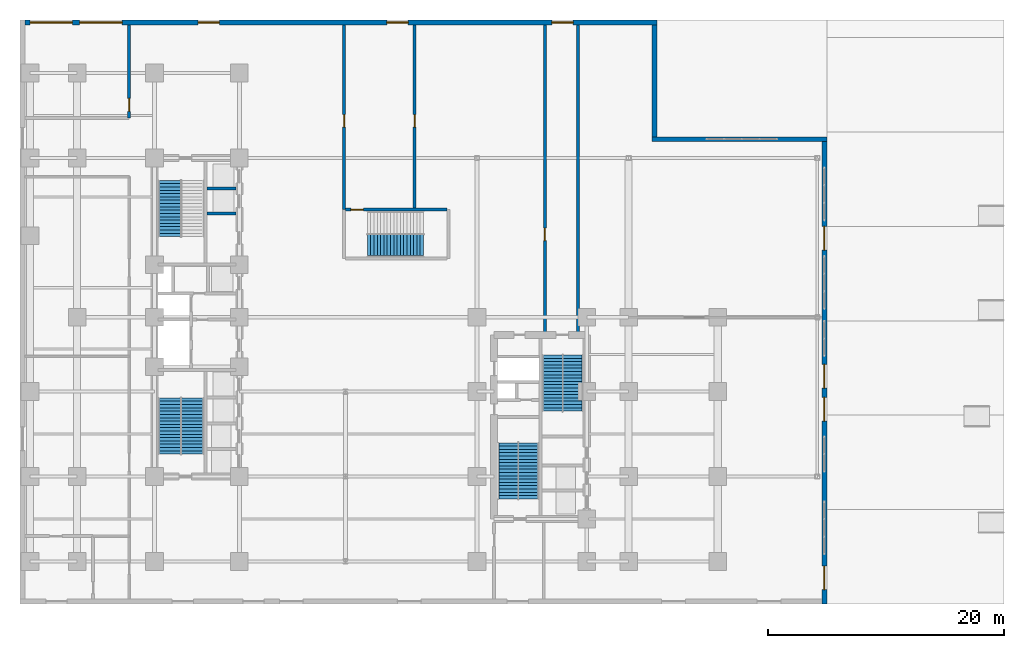
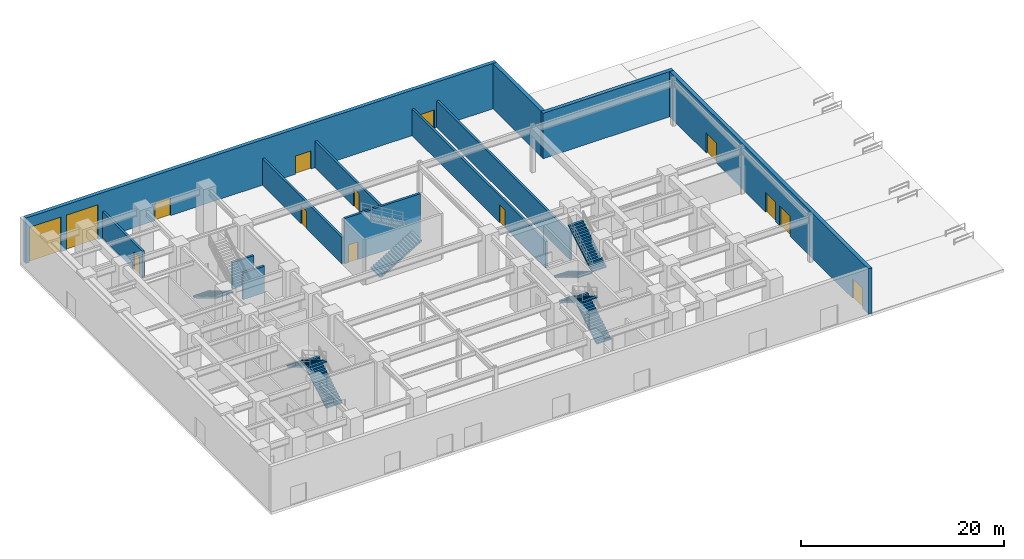
# One storey, part 12 of 18: 14 doors, 12 walls, 8 stair flights, 14 openings, 5 elements without a shape of their own.
"""IFC4 building model written with IfcOpenShell, lengths in metres."""

import ifcopenshell
import ifcopenshell.guid

model = None  # the IFC model being written
_history = None  # IfcOwnerHistory: only IFC2X3 demands one
_inside = {}  # id of a spatial element -> (the spatial element, [elements in it])
_under = {}  # id of a project, library or spatial element -> (it, [spatial elements below it])
_declared = {}  # id of a project -> (the project, [libraries it declares])
_typed = {}  # id of a type object -> (the type object, [elements of that type])
_made_of = {}  # id of a material, layer set ... -> (it, [elements and type objects made of it])


def new_model(schema):
    """Start an empty IFC model of exactly this schema.

    Asked for "IFC4X3", IfcOpenShell would pick the latest addendum, in which some entities
    have other attributes; the version numbers below select the first issue.
    IFC2X3 requires an IfcOwnerHistory on every rooted entity: one is made here for all.
    """
    global model, _history
    if schema == "IFC4X3":
        model = ifcopenshell.file(schema_version=(4, 3, 0, 0))
    else:
        model = ifcopenshell.file(schema=schema)
    _inside.clear()
    _under.clear()
    _declared.clear()
    _typed.clear()
    _made_of.clear()
    _history = None
    if model.schema == "IFC2X3":
        org = make("IfcOrganization", Name="unknown")
        user = make(
            "IfcPersonAndOrganization",
            ThePerson=make("IfcPerson", FamilyName="unknown"),
            TheOrganization=org,
        )
        app = make(
            "IfcApplication",
            ApplicationDeveloper=org,
            Version="unknown",
            ApplicationFullName="unknown",
            ApplicationIdentifier="unknown",
        )
        _history = make(
            "IfcOwnerHistory",
            OwningUser=user,
            OwningApplication=app,
            ChangeAction="ADDED",
            CreationDate=0,
        )
    return model


def make(cls, **values):
    """One entity of the class cls with the attributes given. An attribute that is None is left unset."""
    return model.create_entity(
        cls, **{name: value for name, value in values.items() if value is not None}
    )


def entity(cls, *values):
    """Any entity or typed value of the class cls, its attributes in the order of the schema. None: left unset."""
    e = model.create_entity(cls)
    for i, value in enumerate(values):
        if value is not None:
            e[i] = value
    return e


def rooted(cls, **values):
    """An entity with a GlobalId (a new one), such as an element, a storey or a relation."""
    return make(cls, GlobalId=ifcopenshell.guid.new(), OwnerHistory=_history, **values)


def si_unit(unit_type, name, prefix=None):
    """IfcSIUnit, for example si_unit("LENGTHUNIT", "METRE", prefix="MILLI")."""
    return make("IfcSIUnit", UnitType=unit_type, Prefix=prefix, Name=name)


def converted_unit(unit_type, name, factor, base, dimensions=None, offset=None):
    """IfcConversionBasedUnit, such as the inch: factor (a typed value) times the base unit."""
    return make(
        "IfcConversionBasedUnit"
        if offset is None
        else "IfcConversionBasedUnitWithOffset",
        ConversionOffset=offset,
        Dimensions=None
        if dimensions is None
        else entity("IfcDimensionalExponents", *dimensions),
        UnitType=unit_type,
        Name=name,
        ConversionFactor=make(
            "IfcMeasureWithUnit", ValueComponent=factor, UnitComponent=base
        ),
    )


def assignment(units):
    """IfcUnitAssignment: the units of a project."""
    return None if units is None else make("IfcUnitAssignment", Units=units)


def point(xyz):
    """IfcCartesianPoint."""
    return None if xyz is None else make("IfcCartesianPoint", Coordinates=xyz)


def direction(xyz):
    """IfcDirection."""
    return None if xyz is None else make("IfcDirection", DirectionRatios=xyz)


def frame(location, z_axis=None, x_axis=None):
    """IfcAxis2Placement3D, a coordinate frame: its origin and axes. An axis left out is left unset."""
    return make(
        "IfcAxis2Placement3D",
        Location=point(location),
        Axis=direction(z_axis),
        RefDirection=direction(x_axis),
    )


def frame_2d(location, x_axis=None):
    """IfcAxis2Placement2D, a coordinate frame in the plane: its origin and x axis."""
    return make(
        "IfcAxis2Placement2D", Location=point(location), RefDirection=direction(x_axis)
    )


def origin_with_axes():
    """The frame at (0, 0, 0) with the z axis (0, 0, 1) and the x axis (1, 0, 0) written out."""
    return frame((0.0, 0.0, 0.0), z_axis=(0.0, 0.0, 1.0), x_axis=(1.0, 0.0, 0.0))


def origin_2d_with_axis():
    """The frame at (0, 0) in the plane with the x axis (1, 0) written out."""
    return frame_2d((0.0, 0.0), x_axis=(1.0, 0.0))


def place(relative_to, where):
    """IfcLocalPlacement: puts the frame where relative to a parent placement (None: the world)."""
    return make(
        "IfcLocalPlacement", PlacementRelTo=relative_to, RelativePlacement=where
    )


def context(
    kind, dimensions, precision=None, world=None, true_north=None, identifier=None
):
    """IfcGeometricRepresentationContext, for example the 3D "Model" context."""
    return make(
        "IfcGeometricRepresentationContext",
        ContextIdentifier=identifier,
        ContextType=kind,
        CoordinateSpaceDimension=dimensions,
        Precision=precision,
        WorldCoordinateSystem=world,
        TrueNorth=true_north,
    )


def subcontext(parent, identifier, kind, view, scale=None):
    """IfcGeometricRepresentationSubContext, for example "Body" below "Model"."""
    return make(
        "IfcGeometricRepresentationSubContext",
        ContextIdentifier=identifier,
        ContextType=kind,
        ParentContext=parent,
        TargetScale=scale,
        TargetView=view,
    )


def project(units=None, contexts=None):
    """IfcProject with its units and contexts."""
    return rooted(
        "IfcProject",
        Name="project",
        RepresentationContexts=contexts,
        UnitsInContext=assignment(units),
    )


def spatial(cls, under=None, at=None, **own):
    """A site, building, storey or space (cls), placed at a placement, below another one or the project."""
    s = rooted(cls, ObjectPlacement=at, **own)
    if under is not None:
        _under.setdefault(under.id(), (under, []))[1].append(s)
    return s


def polyline(points):
    """IfcPolyline through the points."""
    return make("IfcPolyline", Points=[point(p) for p in points])


def profile(cls, at=None, kind="AREA", **sizes):
    """A parametric profile (cls). Its sizes go by their IFC names, for example OverallWidth=200.0."""
    return make(cls, ProfileType=kind, Position=at, **sizes)


def rectangle(**sizes):
    """IfcRectangleProfileDef."""
    return profile("IfcRectangleProfileDef", **sizes)


def outline(outer, holes=None, kind="AREA"):
    """IfcArbitraryClosedProfileDef: a profile drawn as a closed curve; with holes, ...WithVoids."""
    if holes is None:
        return make("IfcArbitraryClosedProfileDef", ProfileType=kind, OuterCurve=outer)
    return make(
        "IfcArbitraryProfileDefWithVoids",
        ProfileType=kind,
        OuterCurve=outer,
        InnerCurves=holes,
    )


def extrude(swept, where, along, depth):
    """IfcExtrudedAreaSolid: the profile swept, set in the frame where, extruded along a direction by depth."""
    return make(
        "IfcExtrudedAreaSolid",
        SweptArea=swept,
        Position=where,
        ExtrudedDirection=direction(along),
        Depth=depth,
    )


def shape(context_of_items, identifier, shape_type, items):
    """IfcShapeRepresentation: the items that make up one representation, for example the "Body"."""
    return make(
        "IfcShapeRepresentation",
        ContextOfItems=context_of_items,
        RepresentationIdentifier=identifier,
        RepresentationType=shape_type,
        Items=items,
    )


def material(Name=None, Category=None):
    """IfcMaterial."""
    return make("IfcMaterial", Name=Name, Category=Category)


def layer(
    of_material, thickness, ventilated=None, Name=None, Category=None, Priority=None
):
    """IfcMaterialLayer: one layer of a wall or slab, of a material (None: an air gap)."""
    return make(
        "IfcMaterialLayer",
        Material=of_material,
        LayerThickness=thickness,
        IsVentilated=ventilated,
        Name=Name,
        Category=Category,
        Priority=Priority,
    )


def layer_set(layers, Name=None):
    """IfcMaterialLayerSet."""
    return make("IfcMaterialLayerSet", MaterialLayers=layers, LayerSetName=Name)


def made_of(thing, what):
    """Note that an element or type object is made of a material, layer set ...; save() writes the relation."""
    if what is not None:
        _made_of.setdefault(what.id(), (what, []))[1].append(thing)
    return thing


def type_object(cls, material=None, **own):
    """A type object (cls), such as IfcWallType, which elements share."""
    return made_of(rooted(cls, **own), material)


def element(
    cls,
    number,
    at=None,
    inside=None,
    cuts=None,
    type_object=None,
    material=None,
    context=None,
    identifier="Body",
    shape_type=None,
    held_by="IfcProductDefinitionShape",
    body=None,
    shapes=None,
    **own,
):
    """One element of the class cls, such as IfcWall. Its Tag is "e" and its number.

    at: its placement. inside: the storey or other place that contains it. cuts: it is an
    opening in that element (IfcRelVoidsElement). A single representation is given by context,
    identifier, shape_type and body (its items); several are given by shapes. held_by: the class
    of the entity that holds the representations. save() writes the other relations.
    """
    e = rooted(cls, Tag="e%d" % number, ObjectPlacement=at, **own)
    if body is not None:
        shapes = [shape(context, identifier, shape_type, body)]
    if shapes is not None:
        e.Representation = make(held_by, Representations=shapes)
    if inside is not None:
        _inside.setdefault(inside.id(), (inside, []))[1].append(e)
    if cuts is not None:
        rooted(
            "IfcRelVoidsElement", RelatingBuildingElement=cuts, RelatedOpeningElement=e
        )
    if type_object is not None:
        _typed.setdefault(type_object.id(), (type_object, []))[1].append(e)
    return made_of(e, material)


def fill(opening, filler):
    """IfcRelFillsElement: the door or window that sits in an opening."""
    return rooted(
        "IfcRelFillsElement",
        RelatingOpeningElement=opening,
        RelatedBuildingElement=filler,
    )


def aggregate(whole, parts):
    """IfcRelAggregates: a whole, such as a stair, and the parts it consists of."""
    return rooted("IfcRelAggregates", RelatingObject=whole, RelatedObjects=parts)


def save(model, path):
    """Write the relations noted so far, then the file.

    IfcRelAggregates (storeys below a building ...), IfcRelContainedInSpatialStructure (elements
    in a storey), IfcRelDefinesByType, IfcRelAssociatesMaterial and IfcRelDeclares: one each for
    every whole, place, type object, material and project.
    """
    for whole, parts in _under.values():
        aggregate(whole, parts)
    for where, things in _inside.values():
        rooted(
            "IfcRelContainedInSpatialStructure",
            RelatedElements=things,
            RelatingStructure=where,
        )
    for kind, things in _typed.values():
        rooted("IfcRelDefinesByType", RelatedObjects=things, RelatingType=kind)
    for what, things in _made_of.values():
        rooted("IfcRelAssociatesMaterial", RelatedObjects=things, RelatingMaterial=what)
    for by, libraries in _declared.values():
        rooted("IfcRelDeclares", RelatingContext=by, RelatedDefinitions=libraries)
    model.write(path)


model = new_model("IFC4")

# Units and contexts
model_context = context("Model", 3, precision=1e-05, world=origin_with_axes(), true_north=direction((0.0, 1.0)))
body_context = subcontext(model_context, "Body", "Model", "MODEL_VIEW")
ifc_project = project(units=[si_unit("LENGTHUNIT", "METRE"), si_unit("AREAUNIT", "SQUARE_METRE"), si_unit("VOLUMEUNIT", "CUBIC_METRE"), converted_unit("PLANEANGLEUNIT", "DEGREE", entity("IfcPlaneAngleMeasure", 0.017453292519943295), si_unit("PLANEANGLEUNIT", "RADIAN"), dimensions=[0, 0, 0, 0, 0, 0, 0]), si_unit("MASSUNIT", "GRAM", prefix="KILO"), si_unit("THERMODYNAMICTEMPERATUREUNIT", "KELVIN")], contexts=[model_context])

# Site, building, storey
site_placement = place(None, origin_with_axes())
site = spatial("IfcSite", under=ifc_project, at=site_placement, CompositionType="ELEMENT")
building_placement = place(site_placement, origin_with_axes())
building = spatial("IfcBuilding", under=site, at=building_placement, Name="Varnlund Millrace Tower", CompositionType="ELEMENT")
storey_placement = place(building_placement, origin_with_axes())
storey = spatial("IfcBuildingStorey", under=building, at=storey_placement, Name="L00", CompositionType="ELEMENT", Elevation=0.0)

# Wall, openings, doors
ifc_material_1 = material(Name="Precast concrete C50/60", Category="concrete")
ifc_layer_1 = layer(ifc_material_1, 0.42, Name="Precast concrete C50/60")
ifc_layer_set_1 = layer_set([ifc_layer_1], Name="Precast concrete C50/60")
wall_type_1 = type_object("IfcWallType", Name="Type-ExtWall-Precast-Pier-420", PredefinedType="SOLIDWALL", material=ifc_layer_set_1)
wall_1_placement = place(storey_placement, frame((0.42, 49.29, 0.0), z_axis=(0.0, 0.0, 1.0), x_axis=(1.0, 0.0, 0.0)))
wall_1 = element("IfcWall", 1, at=wall_1_placement, inside=storey, type_object=wall_type_1, Name="Type-ExtWall-Precast-Pier-420", PredefinedType="SOLIDWALL", context=body_context, shape_type="SweptSolid", body=[
    extrude(outline(polyline([(0.0, -0.21), (53.58, -0.21), (53.58, 0.21), (0.0, 0.21), (0.0, -0.21)])), origin_with_axes(), (0.0, 0.0, 1.0), 5.46),
])
opening_1_placement = place(wall_1_placement, frame((15.58, 0.0, 0.0), z_axis=(0.0, 0.0, 1.0), x_axis=(1.0, 0.0, 0.0)))
opening_1 = element("IfcOpeningElement", 2, at=opening_1_placement, cuts=wall_1, Name="Opening L00:DR-EXT-N1", PredefinedType="OPENING", context=body_context, shape_type="SweptSolid", body=[
    extrude(rectangle(XDim=1.8, YDim=0.44, at=origin_2d_with_axis()), origin_with_axes(), (0.0, 0.0, 1.0), 2.2),
])
opening_2_placement = place(wall_1_placement, frame((31.58, 0.0, 0.0), z_axis=(0.0, 0.0, 1.0), x_axis=(1.0, 0.0, 0.0)))
opening_2 = element("IfcOpeningElement", 3, at=opening_2_placement, cuts=wall_1, Name="Opening L00:DR-EXT-N2", PredefinedType="OPENING", context=body_context, shape_type="SweptSolid", body=[
    extrude(rectangle(XDim=1.8, YDim=0.44, at=origin_2d_with_axis()), origin_with_axes(), (0.0, 0.0, 1.0), 2.2),
])
opening_3_placement = place(wall_1_placement, frame((45.58, 0.0, 0.0), z_axis=(0.0, 0.0, 1.0), x_axis=(1.0, 0.0, 0.0)))
opening_3 = element("IfcOpeningElement", 4, at=opening_3_placement, cuts=wall_1, Name="Opening L00:DR-EXT-N3", PredefinedType="OPENING", context=body_context, shape_type="SweptSolid", body=[
    extrude(rectangle(XDim=1.8, YDim=0.44, at=origin_2d_with_axis()), origin_with_axes(), (0.0, 0.0, 1.0), 2.2),
])
opening_4_placement = place(wall_1_placement, frame((2.23, 0.0, 0.0), z_axis=(0.0, 0.0, 1.0), x_axis=(1.0, 0.0, 0.0)))
opening_4 = element("IfcOpeningElement", 5, at=opening_4_placement, cuts=wall_1, Name="Opening L00:SH-LOAD-01", PredefinedType="OPENING", context=body_context, shape_type="SweptSolid", body=[
    extrude(rectangle(XDim=3.6, YDim=0.44, at=origin_2d_with_axis()), origin_with_axes(), (0.0, 0.0, 1.0), 4.2),
])
opening_5_placement = place(wall_1_placement, frame((6.43, 0.0, 0.0), z_axis=(0.0, 0.0, 1.0), x_axis=(1.0, 0.0, 0.0)))
opening_5 = element("IfcOpeningElement", 6, at=opening_5_placement, cuts=wall_1, Name="Opening L00:SH-LOAD-02", PredefinedType="OPENING", context=body_context, shape_type="SweptSolid", body=[
    extrude(rectangle(XDim=3.6, YDim=0.44, at=origin_2d_with_axis()), origin_with_axes(), (0.0, 0.0, 1.0), 4.2),
])
ifc_material_2 = material(Name="Thermally broken architectural bronze and insulated glass door", Category="glass")
door_type_1 = type_object("IfcDoorType", Name="Type-ExtDoor-ExitPair-1800X2200", OperationType="NOTDEFINED", PredefinedType="DOOR", material=ifc_material_2)
door_1_placement = place(wall_1_placement, frame((15.58, 0.0, 0.0), z_axis=(0.0, 0.0, 1.0), x_axis=(1.0, 0.0, 0.0)))
door_1 = element("IfcDoor", 7, at=door_1_placement, inside=storey, type_object=door_type_1, Name="Type-ExtDoor-ExitPair-1800X2200", OperationType="DOUBLE_DOOR_SINGLE_SWING", OverallHeight=2.2, OverallWidth=1.8, PredefinedType="DOOR", context=body_context, shape_type="SweptSolid", body=[
    extrude(rectangle(XDim=1.8, YDim=0.09, at=origin_2d_with_axis()), origin_with_axes(), (0.0, 0.0, 1.0), 2.2),
])
fill(opening_1, door_1)
door_2_placement = place(wall_1_placement, frame((31.58, 0.0, 0.0), z_axis=(0.0, 0.0, 1.0), x_axis=(1.0, 0.0, 0.0)))
door_2 = element("IfcDoor", 8, at=door_2_placement, inside=storey, type_object=door_type_1, Name="Type-ExtDoor-ExitPair-1800X2200", OperationType="DOUBLE_DOOR_SINGLE_SWING", OverallHeight=2.2, OverallWidth=1.8, PredefinedType="DOOR", context=body_context, shape_type="SweptSolid", body=[
    extrude(rectangle(XDim=1.8, YDim=0.09, at=origin_2d_with_axis()), origin_with_axes(), (0.0, 0.0, 1.0), 2.2),
])
fill(opening_2, door_2)
door_3_placement = place(wall_1_placement, frame((45.58, 0.0, 0.0), z_axis=(0.0, 0.0, 1.0), x_axis=(1.0, 0.0, 0.0)))
door_3 = element("IfcDoor", 9, at=door_3_placement, inside=storey, type_object=door_type_1, Name="Type-ExtDoor-ExitPair-1800X2200", OperationType="DOUBLE_DOOR_SINGLE_SWING", OverallHeight=2.2, OverallWidth=1.8, PredefinedType="DOOR", context=body_context, shape_type="SweptSolid", body=[
    extrude(rectangle(XDim=1.8, YDim=0.09, at=origin_2d_with_axis()), origin_with_axes(), (0.0, 0.0, 1.0), 2.2),
])
fill(opening_3, door_3)
door_type_2 = type_object("IfcDoorType", Name="Type-ExtDoor-LoadingShutter-3600X4200", OperationType="NOTDEFINED", PredefinedType="DOOR", material=ifc_material_2)
door_4_placement = place(wall_1_placement, frame((2.23, 0.0, 0.0), z_axis=(0.0, 0.0, 1.0), x_axis=(1.0, 0.0, 0.0)))
door_4 = element("IfcDoor", 10, at=door_4_placement, inside=storey, type_object=door_type_2, Name="Type-ExtDoor-LoadingShutter-3600X4200", OperationType="ROLLINGUP", OverallHeight=4.2, OverallWidth=3.6, PredefinedType="DOOR", context=body_context, shape_type="SweptSolid", body=[
    extrude(rectangle(XDim=3.6, YDim=0.09, at=origin_2d_with_axis()), origin_with_axes(), (0.0, 0.0, 1.0), 4.2),
])
fill(opening_4, door_4)
door_5_placement = place(wall_1_placement, frame((6.43, 0.0, 0.0), z_axis=(0.0, 0.0, 1.0), x_axis=(1.0, 0.0, 0.0)))
door_5 = element("IfcDoor", 11, at=door_5_placement, inside=storey, type_object=door_type_2, Name="Type-ExtDoor-LoadingShutter-3600X4200", OperationType="ROLLINGUP", OverallHeight=4.2, OverallWidth=3.6, PredefinedType="DOOR", context=body_context, shape_type="SweptSolid", body=[
    extrude(rectangle(XDim=3.6, YDim=0.09, at=origin_2d_with_axis()), origin_with_axes(), (0.0, 0.0, 1.0), 4.2),
])
fill(opening_5, door_5)

# Walls
wall_2_placement = place(storey_placement, frame((53.79, 49.08, 0.0), z_axis=(0.0, 0.0, 1.0), x_axis=(0.0, -1.0, 0.0)))
element("IfcWall", 12, at=wall_2_placement, inside=storey, type_object=wall_type_1, Name="Type-ExtWall-Precast-Pier-420", PredefinedType="SOLIDWALL", context=body_context, shape_type="SweptSolid", body=[
    extrude(outline(polyline([(0.0, -0.21), (9.48, -0.21), (9.48, 0.21), (0.0, 0.21), (0.0, -0.21)])), origin_with_axes(), (0.0, 0.0, 1.0), 5.46),
])
wall_3_placement = place(storey_placement, frame((53.58, 39.39, 0.0), z_axis=(0.0, 0.0, 1.0), x_axis=(1.0, 0.0, 0.0)))
element("IfcWall", 13, at=wall_3_placement, inside=storey, type_object=wall_type_1, Name="Type-ExtWall-Precast-Pier-420", PredefinedType="SOLIDWALL", context=body_context, shape_type="SweptSolid", body=[
    extrude(outline(polyline([(0.0, -0.21), (14.82, -0.21), (14.82, 0.21), (0.0, 0.21), (0.0, -0.21)])), origin_with_axes(), (0.0, 0.0, 1.0), 5.46),
])

# Wall, openings, doors
wall_4_placement = place(storey_placement, frame((68.19, 39.18, 0.0), z_axis=(0.0, 0.0, 1.0), x_axis=(0.0, -1.0, 0.0)))
wall_4 = element("IfcWall", 14, at=wall_4_placement, inside=storey, type_object=wall_type_1, Name="Type-ExtWall-Precast-Pier-420", PredefinedType="SOLIDWALL", context=body_context, shape_type="SweptSolid", body=[
    extrude(outline(polyline([(0.0, -0.21), (39.18, -0.21), (39.18, 0.21), (0.0, 0.21), (0.0, -0.21)])), origin_with_axes(), (0.0, 0.0, 1.0), 5.46),
])
opening_6_placement = place(wall_4_placement, frame((36.98, 0.0, 0.0), z_axis=(0.0, 0.0, 1.0), x_axis=(1.0, 0.0, 0.0)))
opening_6 = element("IfcOpeningElement", 15, at=opening_6_placement, cuts=wall_4, Name="Opening L00:DR-RIV-1", PredefinedType="OPENING", context=body_context, shape_type="SweptSolid", body=[
    extrude(rectangle(XDim=2.0, YDim=0.44, at=origin_2d_with_axis()), origin_with_axes(), (0.0, 0.0, 1.0), 2.4),
])
opening_7_placement = place(wall_4_placement, frame((22.68, 0.0, 0.0), z_axis=(0.0, 0.0, 1.0), x_axis=(1.0, 0.0, 0.0)))
opening_7 = element("IfcOpeningElement", 16, at=opening_7_placement, cuts=wall_4, Name="Opening L00:DR-RIV-2", PredefinedType="OPENING", context=body_context, shape_type="SweptSolid", body=[
    extrude(rectangle(XDim=2.0, YDim=0.44, at=origin_2d_with_axis()), origin_with_axes(), (0.0, 0.0, 1.0), 2.4),
])
opening_8_placement = place(wall_4_placement, frame((19.88, 0.0, 0.0), z_axis=(0.0, 0.0, 1.0), x_axis=(1.0, 0.0, 0.0)))
opening_8 = element("IfcOpeningElement", 17, at=opening_8_placement, cuts=wall_4, Name="Opening L00:DR-RIV-3", PredefinedType="OPENING", context=body_context, shape_type="SweptSolid", body=[
    extrude(rectangle(XDim=2.0, YDim=0.44, at=origin_2d_with_axis()), origin_with_axes(), (0.0, 0.0, 1.0), 2.4),
])
opening_9_placement = place(wall_4_placement, frame((8.18, 0.0, 0.0), z_axis=(0.0, 0.0, 1.0), x_axis=(1.0, 0.0, 0.0)))
opening_9 = element("IfcOpeningElement", 18, at=opening_9_placement, cuts=wall_4, Name="Opening L00:DR-RIV-4", PredefinedType="OPENING", context=body_context, shape_type="SweptSolid", body=[
    extrude(rectangle(XDim=2.0, YDim=0.44, at=origin_2d_with_axis()), origin_with_axes(), (0.0, 0.0, 1.0), 2.4),
])
door_type_3 = type_object("IfcDoorType", Name="Type-ExtDoor-Concourse-2000X2400", OperationType="NOTDEFINED", PredefinedType="DOOR", material=ifc_material_2)
door_6_placement = place(wall_4_placement, frame((36.98, 0.0, 0.0), z_axis=(0.0, 0.0, 1.0), x_axis=(1.0, 0.0, 0.0)))
door_6 = element("IfcDoor", 19, at=door_6_placement, inside=storey, type_object=door_type_3, Name="Type-ExtDoor-Concourse-2000X2400", OperationType="DOUBLE_DOOR_SINGLE_SWING", OverallHeight=2.4, OverallWidth=2.0, PredefinedType="DOOR", context=body_context, shape_type="SweptSolid", body=[
    extrude(rectangle(XDim=2.0, YDim=0.09, at=origin_2d_with_axis()), origin_with_axes(), (0.0, 0.0, 1.0), 2.4),
])
fill(opening_6, door_6)
door_7_placement = place(wall_4_placement, frame((22.68, 0.0, 0.0), z_axis=(0.0, 0.0, 1.0), x_axis=(1.0, 0.0, 0.0)))
door_7 = element("IfcDoor", 20, at=door_7_placement, inside=storey, type_object=door_type_3, Name="Type-ExtDoor-Concourse-2000X2400", OperationType="DOUBLE_DOOR_SINGLE_SWING", OverallHeight=2.4, OverallWidth=2.0, PredefinedType="DOOR", context=body_context, shape_type="SweptSolid", body=[
    extrude(rectangle(XDim=2.0, YDim=0.09, at=origin_2d_with_axis()), origin_with_axes(), (0.0, 0.0, 1.0), 2.4),
])
fill(opening_7, door_7)
door_8_placement = place(wall_4_placement, frame((19.88, 0.0, 0.0), z_axis=(0.0, 0.0, 1.0), x_axis=(1.0, 0.0, 0.0)))
door_8 = element("IfcDoor", 21, at=door_8_placement, inside=storey, type_object=door_type_3, Name="Type-ExtDoor-Concourse-2000X2400", OperationType="DOUBLE_DOOR_SINGLE_SWING", OverallHeight=2.4, OverallWidth=2.0, PredefinedType="DOOR", context=body_context, shape_type="SweptSolid", body=[
    extrude(rectangle(XDim=2.0, YDim=0.09, at=origin_2d_with_axis()), origin_with_axes(), (0.0, 0.0, 1.0), 2.4),
])
fill(opening_8, door_8)
door_9_placement = place(wall_4_placement, frame((8.18, 0.0, 0.0), z_axis=(0.0, 0.0, 1.0), x_axis=(1.0, 0.0, 0.0)))
door_9 = element("IfcDoor", 22, at=door_9_placement, inside=storey, type_object=door_type_3, Name="Type-ExtDoor-Concourse-2000X2400", OperationType="DOUBLE_DOOR_SINGLE_SWING", OverallHeight=2.4, OverallWidth=2.0, PredefinedType="DOOR", context=body_context, shape_type="SweptSolid", body=[
    extrude(rectangle(XDim=2.0, YDim=0.09, at=origin_2d_with_axis()), origin_with_axes(), (0.0, 0.0, 1.0), 2.4),
])
fill(opening_9, door_9)

# Walls
ifc_material_3 = material(Name="Concrete C60/75", Category="concrete")
ifc_layer_2 = layer(ifc_material_3, 0.25, Name="Concrete C60/75")
ifc_layer_set_2 = layer_set([ifc_layer_2], Name="Concrete C60/75")
wall_type_2 = type_object("IfcWallType", Name="Type-ShaftWall-Fire-250", PredefinedType="SOLIDWALL", material=ifc_layer_set_2)
for number, where, z_axis, x_axis, name in (
    (23, (15.84, 33.1, 0.0), (0.0, 0.0, 1.0), (1.0, 0.0, 0.0), "Type-ShaftWall-Fire-250"),
    (24, (15.84, 35.2, 0.0), (0.0, 0.0, 1.0), (1.0, 0.0, 0.0), "Type-ShaftWall-Fire-250"),
):
    element("IfcWall", number, at=place(storey_placement, frame(where, z_axis=z_axis, x_axis=x_axis)), inside=storey, type_object=wall_type_2, Name=name, PredefinedType="SOLIDWALL", context=body_context, shape_type="SweptSolid", body=[
        extrude(outline(polyline([(0.0, -0.125), (2.46, -0.125), (2.46, 0.125), (0.0, 0.125), (0.0, -0.125)])), origin_with_axes(), (0.0, 0.0, 1.0), 3.2),
    ])

# Wall, opening, door
wall_5_placement = place(storey_placement, frame((9.25, 41.2, 0.0), z_axis=(0.0, 0.0, 1.0), x_axis=(0.0, 1.0, 0.0)))
wall_5 = element("IfcWall", 25, at=wall_5_placement, inside=storey, type_object=wall_type_2, Name="Type-ShaftWall-Fire-250", PredefinedType="SOLIDWALL", context=body_context, shape_type="SweptSolid", body=[
    extrude(outline(polyline([(0.0, -0.125), (7.88, -0.125), (7.88, 0.125), (0.0, 0.125), (0.0, -0.125)])), origin_with_axes(), (0.0, 0.0, 1.0), 3.2),
])
opening_10_placement = place(wall_5_placement, frame((1.1, 0.0, 0.0), z_axis=(0.0, 0.0, 1.0), x_axis=(1.0, 0.0, 0.0)))
opening_10 = element("IfcOpeningElement", 26, at=opening_10_placement, cuts=wall_5, Name="Opening L00:DR-LD-INT", PredefinedType="OPENING", context=body_context, shape_type="SweptSolid", body=[
    extrude(rectangle(XDim=1.1, YDim=0.27, at=origin_2d_with_axis()), origin_with_axes(), (0.0, 0.0, 1.0), 2.15),
])
ifc_material_4 = material(Name="Fire-rated mechanical room steel door", Category="steel")
door_type_4 = type_object("IfcDoorType", Name="Type-FireDoor-Plant-1100X2150", OperationType="NOTDEFINED", PredefinedType="DOOR", material=ifc_material_4)
door_10_placement = place(wall_5_placement, frame((1.1, 0.0, 0.0), z_axis=(0.0, 0.0, 1.0), x_axis=(1.0, 0.0, 0.0)))
door_10 = element("IfcDoor", 27, at=door_10_placement, inside=storey, type_object=door_type_4, Name="Type-FireDoor-Plant-1100X2150", OperationType="SINGLE_SWING_LEFT", OverallHeight=2.15, OverallWidth=1.1, PredefinedType="DOOR", context=body_context, shape_type="SweptSolid", body=[
    extrude(rectangle(XDim=1.1, YDim=0.09, at=origin_2d_with_axis()), origin_with_axes(), (0.0, 0.0, 1.0), 2.15),
])
fill(opening_10, door_10)

wall_6_placement = place(storey_placement, frame((44.5, 22.8, 0.0), z_axis=(0.0, 0.0, 1.0), x_axis=(0.0, 1.0, 0.0)))
wall_6 = element("IfcWall", 28, at=wall_6_placement, inside=storey, type_object=wall_type_2, Name="Type-ShaftWall-Fire-250", PredefinedType="SOLIDWALL", context=body_context, shape_type="SweptSolid", body=[
    extrude(outline(polyline([(0.0, -0.125), (26.28, -0.125), (26.28, 0.125), (0.0, 0.125), (0.0, -0.125)])), origin_with_axes(), (0.0, 0.0, 1.0), 3.2),
])
opening_11_placement = place(wall_6_placement, frame((8.525, 0.0, 0.0), z_axis=(0.0, 0.0, 1.0), x_axis=(1.0, 0.0, 0.0)))
opening_11 = element("IfcOpeningElement", 29, at=opening_11_placement, cuts=wall_6, Name="Opening L00:DR-EXB2-IN", PredefinedType="OPENING", context=body_context, shape_type="SweptSolid", body=[
    extrude(rectangle(XDim=1.05, YDim=0.27, at=origin_2d_with_axis()), origin_with_axes(), (0.0, 0.0, 1.0), 2.15),
])
ifc_material_5 = material(Name="Smoke-barrier hollow steel fire door", Category="steel")
door_type_5 = type_object("IfcDoorType", Name="Type-FireDoor-Lobby-1050X2150", OperationType="NOTDEFINED", PredefinedType="DOOR", material=ifc_material_5)
door_11_placement = place(wall_6_placement, frame((8.525, 0.0, 0.0), z_axis=(0.0, 0.0, 1.0), x_axis=(1.0, 0.0, 0.0)))
door_11 = element("IfcDoor", 30, at=door_11_placement, inside=storey, type_object=door_type_5, Name="Type-FireDoor-Lobby-1050X2150", OperationType="SINGLE_SWING_LEFT", OverallHeight=2.15, OverallWidth=1.05, PredefinedType="DOOR", context=body_context, shape_type="SweptSolid", body=[
    extrude(rectangle(XDim=1.05, YDim=0.09, at=origin_2d_with_axis()), origin_with_axes(), (0.0, 0.0, 1.0), 2.15),
])
fill(opening_11, door_11)

# Wall
wall_7_placement = place(storey_placement, frame((47.3, 22.8, 0.0), z_axis=(0.0, 0.0, 1.0), x_axis=(0.0, 1.0, 0.0)))
element("IfcWall", 31, at=wall_7_placement, inside=storey, type_object=wall_type_2, Name="Type-ShaftWall-Fire-250", PredefinedType="SOLIDWALL", context=body_context, shape_type="SweptSolid", body=[
    extrude(outline(polyline([(0.0, -0.125), (26.28, -0.125), (26.28, 0.125), (0.0, 0.125), (0.0, -0.125)])), origin_with_axes(), (0.0, 0.0, 1.0), 3.2),
])

# Wall, opening, door
wall_8_placement = place(storey_placement, frame((27.475, 33.425, 0.0), z_axis=(0.0, 0.0, 1.0), x_axis=(0.0, 1.0, 0.0)))
wall_8 = element("IfcWall", 32, at=wall_8_placement, inside=storey, type_object=wall_type_2, Name="Type-ShaftWall-Fire-250", PredefinedType="SOLIDWALL", context=body_context, shape_type="SweptSolid", body=[
    extrude(outline(polyline([(0.0, -0.125), (15.655, -0.125), (15.655, 0.125), (0.0, 0.125), (0.0, -0.125)])), origin_with_axes(), (0.0, 0.0, 1.0), 3.2),
])
opening_12_placement = place(wall_8_placement, frame((7.525, 0.0, 0.0), z_axis=(0.0, 0.0, 1.0), x_axis=(1.0, 0.0, 0.0)))
opening_12 = element("IfcOpeningElement", 33, at=opening_12_placement, cuts=wall_8, Name="Opening L00:DR-EXP1-IN", PredefinedType="OPENING", context=body_context, shape_type="SweptSolid", body=[
    extrude(rectangle(XDim=1.05, YDim=0.27, at=origin_2d_with_axis()), origin_with_axes(), (0.0, 0.0, 1.0), 2.15),
])
door_12_placement = place(wall_8_placement, frame((7.525, 0.0, 0.0), z_axis=(0.0, 0.0, 1.0), x_axis=(1.0, 0.0, 0.0)))
door_12 = element("IfcDoor", 34, at=door_12_placement, inside=storey, type_object=door_type_5, Name="Type-FireDoor-Lobby-1050X2150", OperationType="SINGLE_SWING_LEFT", OverallHeight=2.15, OverallWidth=1.05, PredefinedType="DOOR", context=body_context, shape_type="SweptSolid", body=[
    extrude(rectangle(XDim=1.05, YDim=0.09, at=origin_2d_with_axis()), origin_with_axes(), (0.0, 0.0, 1.0), 2.15),
])
fill(opening_12, door_12)

wall_9_placement = place(storey_placement, frame((33.45, 33.425, 0.0), z_axis=(0.0, 0.0, 1.0), x_axis=(0.0, 1.0, 0.0)))
wall_9 = element("IfcWall", 35, at=wall_9_placement, inside=storey, type_object=wall_type_2, Name="Type-ShaftWall-Fire-250", PredefinedType="SOLIDWALL", context=body_context, shape_type="SweptSolid", body=[
    extrude(outline(polyline([(0.0, -0.125), (15.655, -0.125), (15.655, 0.125), (0.0, 0.125), (0.0, -0.125)])), origin_with_axes(), (0.0, 0.0, 1.0), 3.2),
])
opening_13_placement = place(wall_9_placement, frame((7.525, 0.0, 0.0), z_axis=(0.0, 0.0, 1.0), x_axis=(1.0, 0.0, 0.0)))
opening_13 = element("IfcOpeningElement", 36, at=opening_13_placement, cuts=wall_9, Name="Opening L00:DR-EXP1-E", PredefinedType="OPENING", context=body_context, shape_type="SweptSolid", body=[
    extrude(rectangle(XDim=1.05, YDim=0.27, at=origin_2d_with_axis()), origin_with_axes(), (0.0, 0.0, 1.0), 2.15),
])
door_13_placement = place(wall_9_placement, frame((7.525, 0.0, 0.0), z_axis=(0.0, 0.0, 1.0), x_axis=(1.0, 0.0, 0.0)))
door_13 = element("IfcDoor", 37, at=door_13_placement, inside=storey, type_object=door_type_5, Name="Type-FireDoor-Lobby-1050X2150", OperationType="SINGLE_SWING_RIGHT", OverallHeight=2.15, OverallWidth=1.05, PredefinedType="DOOR", context=body_context, shape_type="SweptSolid", body=[
    extrude(rectangle(XDim=1.05, YDim=0.09, at=origin_2d_with_axis()), origin_with_axes(), (0.0, 0.0, 1.0), 2.15),
])
fill(opening_13, door_13)

wall_type_3 = type_object("IfcWallType", Name="Type-StairWall-Shear-250", PredefinedType="SHEAR", material=ifc_layer_set_2)
wall_10_placement = place(storey_placement, frame((27.6, 33.425, 0.0), z_axis=(0.0, 0.0, 1.0), x_axis=(1.0, 0.0, 0.0)))
wall_10 = element("IfcWall", 38, at=wall_10_placement, inside=storey, type_object=wall_type_3, Name="Type-StairWall-Shear-250", PredefinedType="SHEAR", context=body_context, shape_type="SweptSolid", body=[
    extrude(outline(polyline([(0.0, -0.125), (8.6, -0.125), (8.6, 0.125), (0.0, 0.125), (0.0, -0.125)])), origin_with_axes(), (0.0, 0.0, 1.0), 5.46),
])
opening_14_placement = place(wall_10_placement, frame((0.975, 0.0, 0.0), z_axis=(0.0, 0.0, 1.0), x_axis=(1.0, 0.0, 0.0)))
opening_14 = element("IfcOpeningElement", 39, at=opening_14_placement, cuts=wall_10, Name="Opening L00:DR-STP1", PredefinedType="OPENING", context=body_context, shape_type="SweptSolid", body=[
    extrude(rectangle(XDim=1.05, YDim=0.27, at=origin_2d_with_axis()), origin_with_axes(), (0.0, 0.0, 1.0), 2.15),
])
ifc_material_6 = material(Name="Fire-rated hollow steel door", Category="steel")
door_type_6 = type_object("IfcDoorType", Name="Type-FireDoor-Stair-1050X2150", OperationType="NOTDEFINED", PredefinedType="DOOR", material=ifc_material_6)
door_14_placement = place(wall_10_placement, frame((0.975, 0.0, 0.0), z_axis=(0.0, 0.0, 1.0), x_axis=(1.0, 0.0, 0.0)))
door_14 = element("IfcDoor", 40, at=door_14_placement, inside=storey, type_object=door_type_6, Name="Type-FireDoor-Stair-1050X2150", OperationType="SINGLE_SWING_RIGHT", OverallHeight=2.15, OverallWidth=1.05, PredefinedType="DOOR", context=body_context, shape_type="SweptSolid", body=[
    extrude(rectangle(XDim=1.05, YDim=0.09, at=origin_2d_with_axis()), origin_with_axes(), (0.0, 0.0, 1.0), 2.15),
])
fill(opening_14, door_14)

# Stair, stair flights
ifc_material_7 = material(Name="Concrete C50/60", Category="concrete")
stair_type_1 = type_object("IfcStairType", Name="Type-Stair-Dogleg-165-570", PredefinedType="HALF_TURN_STAIR", material=ifc_material_7)
stair_1_placement = place(storey_placement, origin_with_axes())
stair_1 = element("IfcStair", 41, at=stair_1_placement, inside=storey, type_object=stair_type_1, Name="Type-Stair-Dogleg-165-570", PredefinedType="HALF_TURN_STAIR")
stair_flight_type_1 = type_object("IfcStairFlightType", Name="Type-Dogleg-Run-165-570", PredefinedType="STRAIGHT", material=ifc_material_1)
stair_flight_1_placement = place(storey_placement, frame((42.225, 8.9, 0.0), z_axis=(1.0, 0.0, 0.0), x_axis=(0.0, 1.0, 0.0)))
stair_flight_1 = element("IfcStairFlight", 42, at=stair_flight_1_placement, type_object=stair_flight_type_1, Name="ST-B1 flight 1", NumberOfRisers=17, NumberOfTreads=17, PredefinedType="STRAIGHT", RiserHeight=0.167647, TreadLength=0.28, context=body_context, shape_type="SweptSolid", body=[
    extrude(outline(polyline([(0.0, 0.0), (0.0, 0.167647), (0.28, 0.167647), (0.28, 0.335294), (0.56, 0.335294), (0.56, 0.502941), (0.84, 0.502941), (0.84, 0.670588), (1.12, 0.670588), (1.12, 0.838236), (1.4, 0.838236), (1.4, 1.005883), (1.68, 1.005883), (1.68, 1.17353), (1.96, 1.17353), (1.96, 1.341177), (2.24, 1.341177), (2.24, 1.508824), (2.52, 1.508824), (2.52, 1.676471), (2.8, 1.676471), (2.8, 1.844118), (3.08, 1.844118), (3.08, 2.011765), (3.36, 2.011765), (3.36, 2.179412), (3.64, 2.179412), (3.64, 2.347059), (3.92, 2.347059), (3.92, 2.514706), (4.2, 2.514706), (4.2, 2.682354), (4.48, 2.682354), (4.48, 2.850001), (4.76, 2.850001), (4.76, 2.700001), (0.28, 0.0), (0.0, 0.0)])), origin_with_axes(), (0.0, 0.0, 1.0), 1.65),
])
stair_flight_2_placement = place(storey_placement, frame((42.275, 13.66, 2.85), z_axis=(-1.0, 0.0, 0.0), x_axis=(0.0, -1.0, 0.0)))
stair_flight_2 = element("IfcStairFlight", 43, at=stair_flight_2_placement, type_object=stair_flight_type_1, Name="ST-B1 flight 2", NumberOfRisers=17, NumberOfTreads=17, PredefinedType="STRAIGHT", RiserHeight=0.167647, TreadLength=0.28, context=body_context, shape_type="SweptSolid", body=[
    extrude(outline(polyline([(0.0, 0.0), (0.0, 0.167647), (0.28, 0.167647), (0.28, 0.335294), (0.56, 0.335294), (0.56, 0.502941), (0.84, 0.502941), (0.84, 0.670588), (1.12, 0.670588), (1.12, 0.838236), (1.4, 0.838236), (1.4, 1.005883), (1.68, 1.005883), (1.68, 1.17353), (1.96, 1.17353), (1.96, 1.341177), (2.24, 1.341177), (2.24, 1.508824), (2.52, 1.508824), (2.52, 1.676471), (2.8, 1.676471), (2.8, 1.844118), (3.08, 1.844118), (3.08, 2.011765), (3.36, 2.011765), (3.36, 2.179412), (3.64, 2.179412), (3.64, 2.347059), (3.92, 2.347059), (3.92, 2.514706), (4.2, 2.514706), (4.2, 2.682354), (4.48, 2.682354), (4.48, 2.850001), (4.76, 2.850001), (4.76, 2.700001), (0.28, 0.0), (0.0, 0.0)])), origin_with_axes(), (0.0, 0.0, 1.0), 1.65),
])
aggregate(stair_1, [stair_flight_1, stair_flight_2])

stair_2_placement = place(storey_placement, origin_with_axes())
stair_2 = element("IfcStair", 44, at=stair_2_placement, inside=storey, type_object=stair_type_1, Name="Type-Stair-Dogleg-165-570", PredefinedType="HALF_TURN_STAIR")
stair_flight_3_placement = place(storey_placement, frame((46.025, 21.1, 0.0), z_axis=(-1.0, 0.0, 0.0), x_axis=(0.0, -1.0, 0.0)))
stair_flight_3 = element("IfcStairFlight", 45, at=stair_flight_3_placement, type_object=stair_flight_type_1, Name="ST-B2 flight 1", NumberOfRisers=17, NumberOfTreads=17, PredefinedType="STRAIGHT", RiserHeight=0.167647, TreadLength=0.28, context=body_context, shape_type="SweptSolid", body=[
    extrude(outline(polyline([(0.0, 0.0), (0.0, 0.167647), (0.28, 0.167647), (0.28, 0.335294), (0.56, 0.335294), (0.56, 0.502941), (0.84, 0.502941), (0.84, 0.670588), (1.12, 0.670588), (1.12, 0.838236), (1.4, 0.838236), (1.4, 1.005883), (1.68, 1.005883), (1.68, 1.17353), (1.96, 1.17353), (1.96, 1.341177), (2.24, 1.341177), (2.24, 1.508824), (2.52, 1.508824), (2.52, 1.676471), (2.8, 1.676471), (2.8, 1.844118), (3.08, 1.844118), (3.08, 2.011765), (3.36, 2.011765), (3.36, 2.179412), (3.64, 2.179412), (3.64, 2.347059), (3.92, 2.347059), (3.92, 2.514706), (4.2, 2.514706), (4.2, 2.682354), (4.48, 2.682354), (4.48, 2.850001), (4.76, 2.850001), (4.76, 2.700001), (0.28, 0.0), (0.0, 0.0)])), origin_with_axes(), (0.0, 0.0, 1.0), 1.65),
])
stair_flight_4_placement = place(storey_placement, frame((45.975, 16.34, 2.85), z_axis=(1.0, 0.0, 0.0), x_axis=(0.0, 1.0, 0.0)))
stair_flight_4 = element("IfcStairFlight", 46, at=stair_flight_4_placement, type_object=stair_flight_type_1, Name="ST-B2 flight 2", NumberOfRisers=17, NumberOfTreads=17, PredefinedType="STRAIGHT", RiserHeight=0.167647, TreadLength=0.28, context=body_context, shape_type="SweptSolid", body=[
    extrude(outline(polyline([(0.0, 0.0), (0.0, 0.167647), (0.28, 0.167647), (0.28, 0.335294), (0.56, 0.335294), (0.56, 0.502941), (0.84, 0.502941), (0.84, 0.670588), (1.12, 0.670588), (1.12, 0.838236), (1.4, 0.838236), (1.4, 1.005883), (1.68, 1.005883), (1.68, 1.17353), (1.96, 1.17353), (1.96, 1.341177), (2.24, 1.341177), (2.24, 1.508824), (2.52, 1.508824), (2.52, 1.676471), (2.8, 1.676471), (2.8, 1.844118), (3.08, 1.844118), (3.08, 2.011765), (3.36, 2.011765), (3.36, 2.179412), (3.64, 2.179412), (3.64, 2.347059), (3.92, 2.347059), (3.92, 2.514706), (4.2, 2.514706), (4.2, 2.682354), (4.48, 2.682354), (4.48, 2.850001), (4.76, 2.850001), (4.76, 2.700001), (0.28, 0.0), (0.0, 0.0)])), origin_with_axes(), (0.0, 0.0, 1.0), 1.65),
])
aggregate(stair_2, [stair_flight_3, stair_flight_4])

stair_type_2 = type_object("IfcStairType", Name="Type-Stair-Dogleg-185-570", PredefinedType="HALF_TURN_STAIR", material=ifc_material_7)
stair_3_placement = place(storey_placement, origin_with_axes())
stair_3 = element("IfcStair", 47, at=stair_3_placement, inside=storey, type_object=stair_type_2, Name="Type-Stair-Dogleg-185-570", PredefinedType="HALF_TURN_STAIR")
stair_flight_type_2 = type_object("IfcStairFlightType", Name="Type-Dogleg-Run-185-570", PredefinedType="STRAIGHT", material=ifc_material_1)
stair_flight_5_placement = place(storey_placement, frame((13.625, 12.7, 0.0), z_axis=(1.0, 0.0, 0.0), x_axis=(0.0, 1.0, 0.0)))
stair_flight_5 = element("IfcStairFlight", 48, at=stair_flight_5_placement, type_object=stair_flight_type_2, Name="ST-A1 flight 1", NumberOfRisers=17, NumberOfTreads=17, PredefinedType="STRAIGHT", RiserHeight=0.167647, TreadLength=0.28, context=body_context, shape_type="SweptSolid", body=[
    extrude(outline(polyline([(0.0, 0.0), (0.0, 0.167647), (0.28, 0.167647), (0.28, 0.335294), (0.56, 0.335294), (0.56, 0.502941), (0.84, 0.502941), (0.84, 0.670588), (1.12, 0.670588), (1.12, 0.838236), (1.4, 0.838236), (1.4, 1.005883), (1.68, 1.005883), (1.68, 1.17353), (1.96, 1.17353), (1.96, 1.341177), (2.24, 1.341177), (2.24, 1.508824), (2.52, 1.508824), (2.52, 1.676471), (2.8, 1.676471), (2.8, 1.844118), (3.08, 1.844118), (3.08, 2.011765), (3.36, 2.011765), (3.36, 2.179412), (3.64, 2.179412), (3.64, 2.347059), (3.92, 2.347059), (3.92, 2.514706), (4.2, 2.514706), (4.2, 2.682354), (4.48, 2.682354), (4.48, 2.850001), (4.76, 2.850001), (4.76, 2.700001), (0.28, 0.0), (0.0, 0.0)])), origin_with_axes(), (0.0, 0.0, 1.0), 1.85),
])
stair_flight_6_placement = place(storey_placement, frame((13.675, 17.46, 2.85), z_axis=(-1.0, 0.0, 0.0), x_axis=(0.0, -1.0, 0.0)))
stair_flight_6 = element("IfcStairFlight", 49, at=stair_flight_6_placement, type_object=stair_flight_type_2, Name="ST-A1 flight 2", NumberOfRisers=17, NumberOfTreads=17, PredefinedType="STRAIGHT", RiserHeight=0.167647, TreadLength=0.28, context=body_context, shape_type="SweptSolid", body=[
    extrude(outline(polyline([(0.0, 0.0), (0.0, 0.167647), (0.28, 0.167647), (0.28, 0.335294), (0.56, 0.335294), (0.56, 0.502941), (0.84, 0.502941), (0.84, 0.670588), (1.12, 0.670588), (1.12, 0.838236), (1.4, 0.838236), (1.4, 1.005883), (1.68, 1.005883), (1.68, 1.17353), (1.96, 1.17353), (1.96, 1.341177), (2.24, 1.341177), (2.24, 1.508824), (2.52, 1.508824), (2.52, 1.676471), (2.8, 1.676471), (2.8, 1.844118), (3.08, 1.844118), (3.08, 2.011765), (3.36, 2.011765), (3.36, 2.179412), (3.64, 2.179412), (3.64, 2.347059), (3.92, 2.347059), (3.92, 2.514706), (4.2, 2.514706), (4.2, 2.682354), (4.48, 2.682354), (4.48, 2.850001), (4.76, 2.850001), (4.76, 2.700001), (0.28, 0.0), (0.0, 0.0)])), origin_with_axes(), (0.0, 0.0, 1.0), 1.85),
])
aggregate(stair_3, [stair_flight_5, stair_flight_6])

# Stair, stair flight
stair_4_placement = place(storey_placement, origin_with_axes())
stair_4 = element("IfcStair", 50, at=stair_4_placement, inside=storey, type_object=stair_type_2, Name="Type-Stair-Dogleg-185-570", PredefinedType="HALF_TURN_STAIR")
stair_flight_7_placement = place(storey_placement, frame((13.675, 35.9, 0.0), z_axis=(-1.0, 0.0, 0.0), x_axis=(0.0, -1.0, 0.0)))
stair_flight_7 = element("IfcStairFlight", 51, at=stair_flight_7_placement, type_object=stair_flight_type_2, Name="ST-A2 flight 1", NumberOfRisers=17, NumberOfTreads=17, PredefinedType="STRAIGHT", RiserHeight=0.167647, TreadLength=0.28, context=body_context, shape_type="SweptSolid", body=[
    extrude(outline(polyline([(0.0, 0.0), (0.0, 0.167647), (0.28, 0.167647), (0.28, 0.335294), (0.56, 0.335294), (0.56, 0.502941), (0.84, 0.502941), (0.84, 0.670588), (1.12, 0.670588), (1.12, 0.838236), (1.4, 0.838236), (1.4, 1.005883), (1.68, 1.005883), (1.68, 1.17353), (1.96, 1.17353), (1.96, 1.341177), (2.24, 1.341177), (2.24, 1.508824), (2.52, 1.508824), (2.52, 1.676471), (2.8, 1.676471), (2.8, 1.844118), (3.08, 1.844118), (3.08, 2.011765), (3.36, 2.011765), (3.36, 2.179412), (3.64, 2.179412), (3.64, 2.347059), (3.92, 2.347059), (3.92, 2.514706), (4.2, 2.514706), (4.2, 2.682354), (4.48, 2.682354), (4.48, 2.850001), (4.76, 2.850001), (4.76, 2.700001), (0.28, 0.0), (0.0, 0.0)])), origin_with_axes(), (0.0, 0.0, 1.0), 1.85),
])
aggregate(stair_4, [stair_flight_7])

stair_5_placement = place(storey_placement, origin_with_axes())
stair_5 = element("IfcStair", 52, at=stair_5_placement, inside=storey, type_object=stair_type_2, Name="Type-Stair-Dogleg-185-570", PredefinedType="HALF_TURN_STAIR")
stair_flight_8_placement = place(storey_placement, frame((29.45, 31.375, 0.0), z_axis=(0.0, -1.0, 0.0), x_axis=(1.0, 0.0, 0.0)))
stair_flight_8 = element("IfcStairFlight", 53, at=stair_flight_8_placement, type_object=stair_flight_type_2, Name="ST-P1 flight 1", NumberOfRisers=17, NumberOfTreads=17, PredefinedType="STRAIGHT", RiserHeight=0.167647, TreadLength=0.28, context=body_context, shape_type="SweptSolid", body=[
    extrude(outline(polyline([(0.0, 0.0), (0.0, 0.167647), (0.28, 0.167647), (0.28, 0.335294), (0.56, 0.335294), (0.56, 0.502941), (0.84, 0.502941), (0.84, 0.670588), (1.12, 0.670588), (1.12, 0.838236), (1.4, 0.838236), (1.4, 1.005883), (1.68, 1.005883), (1.68, 1.17353), (1.96, 1.17353), (1.96, 1.341177), (2.24, 1.341177), (2.24, 1.508824), (2.52, 1.508824), (2.52, 1.676471), (2.8, 1.676471), (2.8, 1.844118), (3.08, 1.844118), (3.08, 2.011765), (3.36, 2.011765), (3.36, 2.179412), (3.64, 2.179412), (3.64, 2.347059), (3.92, 2.347059), (3.92, 2.514706), (4.2, 2.514706), (4.2, 2.682354), (4.48, 2.682354), (4.48, 2.850001), (4.76, 2.850001), (4.76, 2.700001), (0.28, 0.0), (0.0, 0.0)])), origin_with_axes(), (0.0, 0.0, 1.0), 1.85),
])
aggregate(stair_5, [stair_flight_8])

save(model, "model.ifc")
